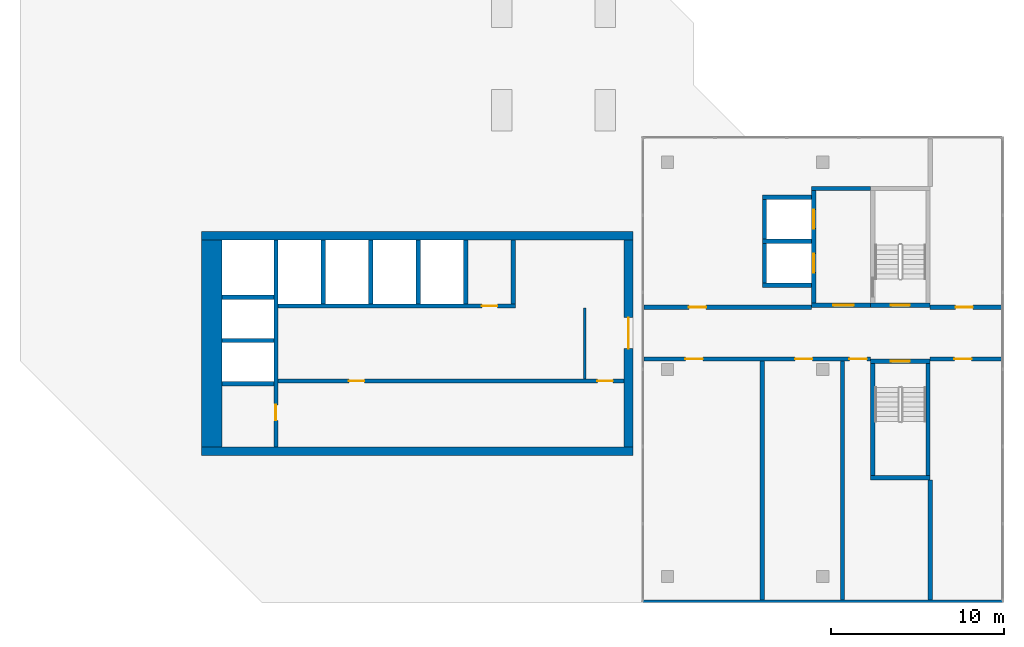
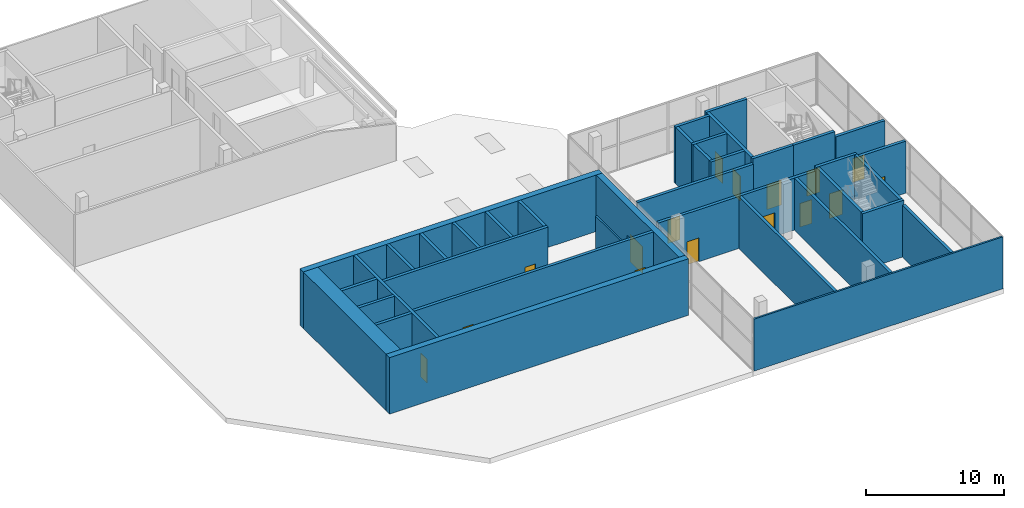
# One storey, part 5 of 8: 37 walls, 16 doors, 16 openings.
"""IFC4 building model written with IfcOpenShell, lengths in metres."""

import ifcopenshell
import ifcopenshell.guid

model = None  # the IFC model being written
_history = None  # IfcOwnerHistory: only IFC2X3 demands one
_inside = {}  # id of a spatial element -> (the spatial element, [elements in it])
_under = {}  # id of a project, library or spatial element -> (it, [spatial elements below it])
_declared = {}  # id of a project -> (the project, [libraries it declares])
_typed = {}  # id of a type object -> (the type object, [elements of that type])
_made_of = {}  # id of a material, layer set ... -> (it, [elements and type objects made of it])


def new_model(schema):
    """Start an empty IFC model of exactly this schema.

    Asked for "IFC4X3", IfcOpenShell would pick the latest addendum, in which some entities
    have other attributes; the version numbers below select the first issue.
    IFC2X3 requires an IfcOwnerHistory on every rooted entity: one is made here for all.
    """
    global model, _history
    if schema == "IFC4X3":
        model = ifcopenshell.file(schema_version=(4, 3, 0, 0))
    else:
        model = ifcopenshell.file(schema=schema)
    _inside.clear()
    _under.clear()
    _declared.clear()
    _typed.clear()
    _made_of.clear()
    _history = None
    if model.schema == "IFC2X3":
        org = make("IfcOrganization", Name="unknown")
        user = make(
            "IfcPersonAndOrganization",
            ThePerson=make("IfcPerson", FamilyName="unknown"),
            TheOrganization=org,
        )
        app = make(
            "IfcApplication",
            ApplicationDeveloper=org,
            Version="unknown",
            ApplicationFullName="unknown",
            ApplicationIdentifier="unknown",
        )
        _history = make(
            "IfcOwnerHistory",
            OwningUser=user,
            OwningApplication=app,
            ChangeAction="ADDED",
            CreationDate=0,
        )
    return model


def make(cls, **values):
    """One entity of the class cls with the attributes given. An attribute that is None is left unset."""
    return model.create_entity(
        cls, **{name: value for name, value in values.items() if value is not None}
    )


def rooted(cls, **values):
    """An entity with a GlobalId (a new one), such as an element, a storey or a relation."""
    return make(cls, GlobalId=ifcopenshell.guid.new(), OwnerHistory=_history, **values)


def si_unit(unit_type, name, prefix=None):
    """IfcSIUnit, for example si_unit("LENGTHUNIT", "METRE", prefix="MILLI")."""
    return make("IfcSIUnit", UnitType=unit_type, Prefix=prefix, Name=name)


def assignment(units):
    """IfcUnitAssignment: the units of a project."""
    return None if units is None else make("IfcUnitAssignment", Units=units)


def point(xyz):
    """IfcCartesianPoint."""
    return None if xyz is None else make("IfcCartesianPoint", Coordinates=xyz)


def direction(xyz):
    """IfcDirection."""
    return None if xyz is None else make("IfcDirection", DirectionRatios=xyz)


def frame(location, z_axis=None, x_axis=None):
    """IfcAxis2Placement3D, a coordinate frame: its origin and axes. An axis left out is left unset."""
    return make(
        "IfcAxis2Placement3D",
        Location=point(location),
        Axis=direction(z_axis),
        RefDirection=direction(x_axis),
    )


def frame_2d(location, x_axis=None):
    """IfcAxis2Placement2D, a coordinate frame in the plane: its origin and x axis."""
    return make(
        "IfcAxis2Placement2D", Location=point(location), RefDirection=direction(x_axis)
    )


def origin():
    """The frame at (0, 0, 0) with its axes left unset."""
    return frame((0.0, 0.0, 0.0))


def place(relative_to, where):
    """IfcLocalPlacement: puts the frame where relative to a parent placement (None: the world)."""
    return make(
        "IfcLocalPlacement", PlacementRelTo=relative_to, RelativePlacement=where
    )


def context(
    kind, dimensions, precision=None, world=None, true_north=None, identifier=None
):
    """IfcGeometricRepresentationContext, for example the 3D "Model" context."""
    return make(
        "IfcGeometricRepresentationContext",
        ContextIdentifier=identifier,
        ContextType=kind,
        CoordinateSpaceDimension=dimensions,
        Precision=precision,
        WorldCoordinateSystem=world,
        TrueNorth=true_north,
    )


def subcontext(parent, identifier, kind, view, scale=None):
    """IfcGeometricRepresentationSubContext, for example "Body" below "Model"."""
    return make(
        "IfcGeometricRepresentationSubContext",
        ContextIdentifier=identifier,
        ContextType=kind,
        ParentContext=parent,
        TargetScale=scale,
        TargetView=view,
    )


def project(units=None, contexts=None):
    """IfcProject with its units and contexts."""
    return rooted(
        "IfcProject",
        Name="project",
        RepresentationContexts=contexts,
        UnitsInContext=assignment(units),
    )


def spatial(cls, under=None, at=None, **own):
    """A site, building, storey or space (cls), placed at a placement, below another one or the project."""
    s = rooted(cls, ObjectPlacement=at, **own)
    if under is not None:
        _under.setdefault(under.id(), (under, []))[1].append(s)
    return s


def profile(cls, at=None, kind="AREA", **sizes):
    """A parametric profile (cls). Its sizes go by their IFC names, for example OverallWidth=200.0."""
    return make(cls, ProfileType=kind, Position=at, **sizes)


def rectangle(**sizes):
    """IfcRectangleProfileDef."""
    return profile("IfcRectangleProfileDef", **sizes)


def extrude(swept, where, along, depth):
    """IfcExtrudedAreaSolid: the profile swept, set in the frame where, extruded along a direction by depth."""
    return make(
        "IfcExtrudedAreaSolid",
        SweptArea=swept,
        Position=where,
        ExtrudedDirection=direction(along),
        Depth=depth,
    )


def shape(context_of_items, identifier, shape_type, items):
    """IfcShapeRepresentation: the items that make up one representation, for example the "Body"."""
    return make(
        "IfcShapeRepresentation",
        ContextOfItems=context_of_items,
        RepresentationIdentifier=identifier,
        RepresentationType=shape_type,
        Items=items,
    )


def material(Name=None, Category=None):
    """IfcMaterial."""
    return make("IfcMaterial", Name=Name, Category=Category)


def layer(
    of_material, thickness, ventilated=None, Name=None, Category=None, Priority=None
):
    """IfcMaterialLayer: one layer of a wall or slab, of a material (None: an air gap)."""
    return make(
        "IfcMaterialLayer",
        Material=of_material,
        LayerThickness=thickness,
        IsVentilated=ventilated,
        Name=Name,
        Category=Category,
        Priority=Priority,
    )


def layer_set(layers, Name=None):
    """IfcMaterialLayerSet."""
    return make("IfcMaterialLayerSet", MaterialLayers=layers, LayerSetName=Name)


def made_of(thing, what):
    """Note that an element or type object is made of a material, layer set ...; save() writes the relation."""
    if what is not None:
        _made_of.setdefault(what.id(), (what, []))[1].append(thing)
    return thing


def type_object(cls, material=None, **own):
    """A type object (cls), such as IfcWallType, which elements share."""
    return made_of(rooted(cls, **own), material)


def element(
    cls,
    number,
    at=None,
    inside=None,
    cuts=None,
    type_object=None,
    material=None,
    context=None,
    identifier="Body",
    shape_type=None,
    held_by="IfcProductDefinitionShape",
    body=None,
    shapes=None,
    **own,
):
    """One element of the class cls, such as IfcWall. Its Tag is "e" and its number.

    at: its placement. inside: the storey or other place that contains it. cuts: it is an
    opening in that element (IfcRelVoidsElement). A single representation is given by context,
    identifier, shape_type and body (its items); several are given by shapes. held_by: the class
    of the entity that holds the representations. save() writes the other relations.
    """
    e = rooted(cls, Tag="e%d" % number, ObjectPlacement=at, **own)
    if body is not None:
        shapes = [shape(context, identifier, shape_type, body)]
    if shapes is not None:
        e.Representation = make(held_by, Representations=shapes)
    if inside is not None:
        _inside.setdefault(inside.id(), (inside, []))[1].append(e)
    if cuts is not None:
        rooted(
            "IfcRelVoidsElement", RelatingBuildingElement=cuts, RelatedOpeningElement=e
        )
    if type_object is not None:
        _typed.setdefault(type_object.id(), (type_object, []))[1].append(e)
    return made_of(e, material)


def fill(opening, filler):
    """IfcRelFillsElement: the door or window that sits in an opening."""
    return rooted(
        "IfcRelFillsElement",
        RelatingOpeningElement=opening,
        RelatedBuildingElement=filler,
    )


def aggregate(whole, parts):
    """IfcRelAggregates: a whole, such as a stair, and the parts it consists of."""
    return rooted("IfcRelAggregates", RelatingObject=whole, RelatedObjects=parts)


def save(model, path):
    """Write the relations noted so far, then the file.

    IfcRelAggregates (storeys below a building ...), IfcRelContainedInSpatialStructure (elements
    in a storey), IfcRelDefinesByType, IfcRelAssociatesMaterial and IfcRelDeclares: one each for
    every whole, place, type object, material and project.
    """
    for whole, parts in _under.values():
        aggregate(whole, parts)
    for where, things in _inside.values():
        rooted(
            "IfcRelContainedInSpatialStructure",
            RelatedElements=things,
            RelatingStructure=where,
        )
    for kind, things in _typed.values():
        rooted("IfcRelDefinesByType", RelatedObjects=things, RelatingType=kind)
    for what, things in _made_of.values():
        rooted("IfcRelAssociatesMaterial", RelatedObjects=things, RelatingMaterial=what)
    for by, libraries in _declared.values():
        rooted("IfcRelDeclares", RelatingContext=by, RelatedDefinitions=libraries)
    model.write(path)


model = new_model("IFC4")

# Units and contexts
model_context = context("Model", 3, precision=1e-05, world=origin(), true_north=direction((0.0, 1.0)))
body_context = subcontext(model_context, "Body", "Model", "MODEL_VIEW")
ifc_project = project(units=[si_unit("LENGTHUNIT", "METRE"), si_unit("AREAUNIT", "SQUARE_METRE"), si_unit("VOLUMEUNIT", "CUBIC_METRE"), si_unit("PLANEANGLEUNIT", "RADIAN"), si_unit("MASSUNIT", "GRAM", prefix="KILO")], contexts=[model_context])

# Site, building, storey
site_placement = place(None, origin())
site = spatial("IfcSite", under=ifc_project, at=site_placement, CompositionType="ELEMENT")
building_placement = place(site_placement, origin())
building = spatial("IfcBuilding", under=site, at=building_placement, Name="Chenar Terraces", CompositionType="ELEMENT")
storey_placement = place(building_placement, frame((0.0, 0.0, 383.89990234375)))
storey = spatial("IfcBuildingStorey", under=building, at=storey_placement, Name="L90", CompositionType="ELEMENT", Elevation=383.89990234375)

# Walls
ifc_material_1 = material(Name="Gypsum board on steel studs", Category="steel")
ifc_layer_1 = layer(ifc_material_1, 0.14990234375)
ifc_layer_set_1 = layer_set([ifc_layer_1], Name="Gypsum board on steel studs")
wall_type_1 = type_object("IfcWallType", Name="Core partition 150 gypsum board", PredefinedType="PARTITIONING", material=ifc_layer_set_1)
wall_1_placement = place(storey_placement, frame((31.22509765625, 11.449951171875, 0.0), z_axis=(0.0, 0.0, 1.0), x_axis=(0.0, 1.0, 0.0)))
element("IfcWall", 1, at=wall_1_placement, inside=storey, type_object=wall_type_1, Name="Core partition CP1 freed bay wall", PredefinedType="PARTITIONING", context=body_context, shape_type="SweptSolid", body=[
    extrude(rectangle(XDim=4.10009765625, YDim=0.14990234375, at=frame_2d((2.050048828125, 0.0))), origin(), (0.0, 0.0, 1.0), 4.60009765625),
])
ifc_material_2 = material(Name="Concrete C40/50", Category="concrete")
ifc_layer_2 = layer(ifc_material_2, 1.199951171875)
ifc_layer_set_2 = layer_set([ifc_layer_2], Name="Concrete C40/50")
wall_type_2 = type_object("IfcWallType", Name="Core wall 1200 Concrete C40/50", PredefinedType="SHEAR", material=ifc_layer_set_2)
wall_2_placement = place(storey_placement, frame((9.60009765625, 7.5, 0.0), z_axis=(0.0, 0.0, 1.0), x_axis=(0.0, 1.0, 0.0)))
element("IfcWall", 2, at=wall_2_placement, inside=storey, type_object=wall_type_2, Name="Core wall W L90", PredefinedType="SHEAR", context=body_context, shape_type="SweptSolid", body=[
    extrude(rectangle(XDim=12.0, YDim=1.199951171875, at=frame_2d((6.0, 0.0))), origin(), (0.0, 0.0, 1.0), 5.0),
])

# Wall, opening, door
ifc_material_3 = material(Name="Concrete C40/50", Category="concrete")
ifc_layer_3 = layer(ifc_material_3, 0.25)
ifc_layer_set_3 = layer_set([ifc_layer_3], Name="Concrete C40/50")
wall_type_3 = type_object("IfcWallType", Name="Core wall 250 Concrete C40/50", PredefinedType="SHEAR", material=ifc_layer_set_3)
wall_3_placement = place(storey_placement, frame((13.324951171875, 7.5, 0.0), z_axis=(0.0, 0.0, 1.0), x_axis=(0.0, 1.0, 0.0)))
wall_3 = element("IfcWall", 3, at=wall_3_placement, inside=storey, type_object=wall_type_3, Name="Core wall WI L90", PredefinedType="SHEAR", context=body_context, shape_type="SweptSolid", body=[
    extrude(rectangle(XDim=12.0, YDim=0.25, at=frame_2d((6.0, 0.0))), origin(), (0.0, 0.0, 1.0), 5.0),
])
opening_1_placement = place(wall_3_placement, frame((1.550048828125, 0.0, 0.0)))
opening_1 = element("IfcOpeningElement", 4, at=opening_1_placement, cuts=wall_3, Name="Opening DL90-C2", PredefinedType="OPENING", context=body_context, shape_type="SweptSolid", body=[
    extrude(rectangle(XDim=0.89990234375, YDim=2.10009765625, at=frame_2d((0.449951171875, 1.050048828125))), frame((0.0, 0.135009765625, 0.0), z_axis=(0.0, -1.0, 0.0), x_axis=(1.0, 0.0, 0.0)), (0.0, 0.0, 1.0), 0.27001953125),
])
ifc_material_4 = material(Name="Steel-framed fire-resisting door leaf", Category="steel")
door_type_1 = type_object("IfcDoorType", Name="Riser fire door FD60 900 x 2100", OperationType="SINGLE_SWING_LEFT", PredefinedType="DOOR", material=ifc_material_4)
door_1_placement = place(opening_1_placement, origin())
door_1 = element("IfcDoor", 5, at=door_1_placement, inside=storey, type_object=door_type_1, Name="Core room door DL90-C2", OperationType="SINGLE_SWING_RIGHT", OverallHeight=2.10009765625, OverallWidth=0.89990234375, PredefinedType="DOOR", context=body_context, shape_type="SweptSolid", body=[
    extrude(rectangle(XDim=0.89990234375, YDim=2.10009765625, at=frame_2d((0.449951171875, 1.050048828125))), frame((0.0, 0.02490234375, 0.0), z_axis=(0.0, -1.0, 0.0), x_axis=(1.0, 0.0, 0.0)), (0.0, 0.0, 1.0), 0.050048828125),
])
fill(opening_1, door_1)

# Wall, openings, doors
wall_4_placement = place(storey_placement, frame((13.449951171875, 11.324951171875, 0.0), z_axis=(0.0, 0.0, 1.0), x_axis=(1.0, 0.0, 0.0)))
wall_4 = element("IfcWall", 6, at=wall_4_placement, inside=storey, type_object=wall_type_3, Name="Core wall SF L90", PredefinedType="SHEAR", context=body_context, shape_type="SweptSolid", body=[
    extrude(rectangle(XDim=20.050048828125, YDim=0.25, at=frame_2d((10.02490234375, 0.0))), origin(), (0.0, 0.0, 1.0), 5.0),
])
opening_2_placement = place(wall_4_placement, frame((4.10009765625, 0.0, 0.0)))
opening_2 = element("IfcOpeningElement", 7, at=opening_2_placement, cuts=wall_4, Name="Opening DL90-C9", PredefinedType="OPENING", context=body_context, shape_type="SweptSolid", body=[
    extrude(rectangle(XDim=0.89990234375, YDim=2.10009765625, at=frame_2d((0.449951171875, 1.050048828125))), frame((0.0, 0.135009765625, 0.0), z_axis=(0.0, -1.0, 0.0), x_axis=(1.0, 0.0, 0.0)), (0.0, 0.0, 1.0), 0.27001953125),
])
opening_3_placement = place(wall_4_placement, frame((18.5, 0.0, 0.0)))
opening_3 = element("IfcOpeningElement", 8, at=opening_3_placement, cuts=wall_4, Name="Opening DL90-C10", PredefinedType="OPENING", context=body_context, shape_type="SweptSolid", body=[
    extrude(rectangle(XDim=0.89990234375, YDim=2.10009765625, at=frame_2d((0.449951171875, 1.050048828125))), frame((0.0, 0.135009765625, 0.0), z_axis=(0.0, -1.0, 0.0), x_axis=(1.0, 0.0, 0.0)), (0.0, 0.0, 1.0), 0.27001953125),
])
door_2_placement = place(opening_2_placement, origin())
door_2 = element("IfcDoor", 9, at=door_2_placement, inside=storey, type_object=door_type_1, Name="Core room door DL90-C9", OperationType="SINGLE_SWING_LEFT", OverallHeight=2.10009765625, OverallWidth=0.89990234375, PredefinedType="DOOR", context=body_context, shape_type="SweptSolid", body=[
    extrude(rectangle(XDim=0.89990234375, YDim=2.10009765625, at=frame_2d((0.449951171875, 1.050048828125))), frame((0.0, 0.02490234375, 0.0), z_axis=(0.0, -1.0, 0.0), x_axis=(1.0, 0.0, 0.0)), (0.0, 0.0, 1.0), 0.050048828125),
])
fill(opening_2, door_2)
door_3_placement = place(opening_3_placement, origin())
door_3 = element("IfcDoor", 10, at=door_3_placement, inside=storey, type_object=door_type_1, Name="Core room door DL90-C10", OperationType="SINGLE_SWING_LEFT", OverallHeight=2.10009765625, OverallWidth=0.89990234375, PredefinedType="DOOR", context=body_context, shape_type="SweptSolid", body=[
    extrude(rectangle(XDim=0.89990234375, YDim=2.10009765625, at=frame_2d((0.449951171875, 1.050048828125))), frame((0.0, 0.02490234375, 0.0), z_axis=(0.0, -1.0, 0.0), x_axis=(1.0, 0.0, 0.0)), (0.0, 0.0, 1.0), 0.050048828125),
])
fill(opening_3, door_3)

# Wall, opening, door
wall_5_placement = place(storey_placement, frame((13.449951171875, 15.675048828125, 0.0), z_axis=(0.0, 0.0, 1.0), x_axis=(1.0, 0.0, 0.0)))
wall_5 = element("IfcWall", 11, at=wall_5_placement, inside=storey, type_object=wall_type_3, Name="Core wall NF L90", PredefinedType="SHEAR", context=body_context, shape_type="SweptSolid", body=[
    extrude(rectangle(XDim=13.75, YDim=0.25, at=frame_2d((6.875, 0.0))), origin(), (0.0, 0.0, 1.0), 5.0),
])
opening_4_placement = place(wall_5_placement, frame((11.800048828125, 0.0, 0.0)))
opening_4 = element("IfcOpeningElement", 12, at=opening_4_placement, cuts=wall_5, Name="Opening DL90-C11", PredefinedType="OPENING", context=body_context, shape_type="SweptSolid", body=[
    extrude(rectangle(XDim=0.89990234375, YDim=2.10009765625, at=frame_2d((0.449951171875, 1.050048828125))), frame((0.0, 0.135009765625, 0.0), z_axis=(0.0, -1.0, 0.0), x_axis=(1.0, 0.0, 0.0)), (0.0, 0.0, 1.0), 0.27001953125),
])
door_4_placement = place(opening_4_placement, origin())
door_4 = element("IfcDoor", 13, at=door_4_placement, inside=storey, type_object=door_type_1, Name="Core room door DL90-C11", OperationType="SINGLE_SWING_RIGHT", OverallHeight=2.10009765625, OverallWidth=0.89990234375, PredefinedType="DOOR", context=body_context, shape_type="SweptSolid", body=[
    extrude(rectangle(XDim=0.89990234375, YDim=2.10009765625, at=frame_2d((0.449951171875, 1.050048828125))), frame((0.0, 0.02490234375, 0.0), z_axis=(0.0, -1.0, 0.0), x_axis=(1.0, 0.0, 0.0)), (0.0, 0.0, 1.0), 0.050048828125),
])
fill(opening_4, door_4)

# Walls
for number, where, z_axis, x_axis, name in (
    (14, (10.199951171875, 11.175048828125, 0.0), (0.0, 0.0, 1.0), (1.0, 0.0, 0.0), "Core wall HW0 L90"),
    (15, (10.199951171875, 13.675048828125, 0.0), (0.0, 0.0, 1.0), (1.0, 0.0, 0.0), "Core wall HW1 L90"),
    (16, (10.199951171875, 16.175048828125, 0.0), (0.0, 0.0, 1.0), (1.0, 0.0, 0.0), "Core wall HW2 L90"),
):
    element("IfcWall", number, at=place(storey_placement, frame(where, z_axis=z_axis, x_axis=x_axis)), inside=storey, type_object=wall_type_3, Name=name, PredefinedType="SHEAR", context=body_context, shape_type="SweptSolid", body=[
        extrude(rectangle(XDim=3.0, YDim=0.25, at=frame_2d((1.5, 0.0))), origin(), (0.0, 0.0, 1.0), 5.0),
    ])
for number, where, z_axis, x_axis, name in (
    (17, (16.074951171875, 15.800048828125, 0.0), (0.0, 0.0, 1.0), (0.0, 1.0, 0.0), "Core wall NS0 L90"),
    (18, (18.824951171875, 15.800048828125, 0.0), (0.0, 0.0, 1.0), (0.0, 1.0, 0.0), "Core wall NS1 L90"),
    (19, (21.574951171875, 15.800048828125, 0.0), (0.0, 0.0, 1.0), (0.0, 1.0, 0.0), "Core wall NS2 L90"),
    (20, (24.324951171875, 15.800048828125, 0.0), (0.0, 0.0, 1.0), (0.0, 1.0, 0.0), "Core wall NS3 L90"),
    (21, (27.074951171875, 15.800048828125, 0.0), (0.0, 0.0, 1.0), (0.0, 1.0, 0.0), "Core wall NE L90"),
):
    element("IfcWall", number, at=place(storey_placement, frame(where, z_axis=z_axis, x_axis=x_axis)), inside=storey, type_object=wall_type_3, Name=name, PredefinedType="SHEAR", context=body_context, shape_type="SweptSolid", body=[
        extrude(rectangle(XDim=3.699951171875, YDim=0.25, at=frame_2d((1.85009765625, 0.0))), origin(), (0.0, 0.0, 1.0), 5.0),
    ])

# Wall, opening, door
wall_6_placement = place(storey_placement, frame((47.77490234375, 15.72509765625, 0.0), z_axis=(0.0, 0.0, 1.0), x_axis=(1.0, 0.0, 0.0)))
wall_6 = element("IfcWall", 22, at=wall_6_placement, inside=storey, type_object=wall_type_3, Name="Core wall ST3_S L90", PredefinedType="SHEAR", context=body_context, shape_type="SweptSolid", body=[
    extrude(rectangle(XDim=3.4501953125, YDim=0.25, at=frame_2d((1.72509765625, 0.0))), origin(), (0.0, 0.0, 1.0), 5.0),
])
opening_5_placement = place(wall_6_placement, frame((1.175048828125, 0.0, 0.0)))
opening_5 = element("IfcOpeningElement", 23, at=opening_5_placement, cuts=wall_6, Name="Opening DL90-C3", PredefinedType="OPENING", context=body_context, shape_type="SweptSolid", body=[
    extrude(rectangle(XDim=1.10009765625, YDim=2.199951171875, at=frame_2d((0.550048828125, 1.10009765625))), frame((0.0, 0.135009765625, 0.0), z_axis=(0.0, -1.0, 0.0), x_axis=(1.0, 0.0, 0.0)), (0.0, 0.0, 1.0), 0.27001953125),
])
ifc_material_5 = material(Name="Steel-framed fire-resisting door leaf", Category="steel")
door_type_2 = type_object("IfcDoorType", Name="Stair fire door FD60 1100 x 2200", OperationType="SINGLE_SWING_LEFT", PredefinedType="DOOR", material=ifc_material_5)
door_5_placement = place(opening_5_placement, origin())
door_5 = element("IfcDoor", 24, at=door_5_placement, inside=storey, type_object=door_type_2, Name="Stair door DL90-C3", OperationType="SINGLE_SWING_RIGHT", OverallHeight=2.199951171875, OverallWidth=1.10009765625, PredefinedType="DOOR", context=body_context, shape_type="SweptSolid", body=[
    extrude(rectangle(XDim=1.10009765625, YDim=2.199951171875, at=frame_2d((0.550048828125, 1.10009765625))), frame((0.0, 0.02490234375, 0.0), z_axis=(0.0, -1.0, 0.0), x_axis=(1.0, 0.0, 0.0)), (0.0, 0.0, 1.0), 0.050048828125),
])
fill(opening_5, door_5)

# Wall
wall_7_placement = place(storey_placement, frame((47.77490234375, 5.72509765625, 0.0), z_axis=(0.0, 0.0, 1.0), x_axis=(1.0, 0.0, 0.0)))
element("IfcWall", 25, at=wall_7_placement, inside=storey, type_object=wall_type_3, Name="Core wall ST5_S L90", PredefinedType="SHEAR", context=body_context, shape_type="SweptSolid", body=[
    extrude(rectangle(XDim=3.4501953125, YDim=0.25, at=frame_2d((1.72509765625, 0.0))), origin(), (0.0, 0.0, 1.0), 5.0),
])

# Wall, opening, door
wall_8_placement = place(storey_placement, frame((47.77490234375, 12.47509765625, 0.0), z_axis=(0.0, 0.0, 1.0), x_axis=(1.0, 0.0, 0.0)))
wall_8 = element("IfcWall", 26, at=wall_8_placement, inside=storey, type_object=wall_type_3, Name="Core wall ST5_N L90", PredefinedType="SHEAR", context=body_context, shape_type="SweptSolid", body=[
    extrude(rectangle(XDim=3.4501953125, YDim=0.25, at=frame_2d((1.72509765625, 0.0))), origin(), (0.0, 0.0, 1.0), 5.0),
])
opening_6_placement = place(wall_8_placement, frame((1.175048828125, 0.0, 0.0)))
opening_6 = element("IfcOpeningElement", 27, at=opening_6_placement, cuts=wall_8, Name="Opening DL90-C5", PredefinedType="OPENING", context=body_context, shape_type="SweptSolid", body=[
    extrude(rectangle(XDim=1.10009765625, YDim=2.199951171875, at=frame_2d((0.550048828125, 1.10009765625))), frame((0.0, 0.135009765625, 0.0), z_axis=(0.0, -1.0, 0.0), x_axis=(1.0, 0.0, 0.0)), (0.0, 0.0, 1.0), 0.27001953125),
])
door_6_placement = place(opening_6_placement, frame((1.10009765625, 0.0, 0.0), z_axis=(0.0, 0.0, 1.0), x_axis=(-1.0, 0.0, 0.0)))
door_6 = element("IfcDoor", 28, at=door_6_placement, inside=storey, type_object=door_type_2, Name="Stair door DL90-C5", OperationType="SINGLE_SWING_LEFT", OverallHeight=2.199951171875, OverallWidth=1.10009765625, PredefinedType="DOOR", context=body_context, shape_type="SweptSolid", body=[
    extrude(rectangle(XDim=1.10009765625, YDim=2.199951171875, at=frame_2d((0.550048828125, 1.10009765625))), frame((0.0, 0.02490234375, 0.0), z_axis=(0.0, -1.0, 0.0), x_axis=(1.0, 0.0, 0.0)), (0.0, 0.0, 1.0), 0.050048828125),
])
fill(opening_6, door_6)

# Walls
for number, where, z_axis, x_axis, name in (
    (29, (47.89990234375, 5.85009765625, 0.0), (0.0, 0.0, 1.0), (0.0, 1.0, 0.0), "Core wall ST5_W L90"),
    (30, (51.10009765625, 5.85009765625, 0.0), (0.0, 0.0, 1.0), (0.0, 1.0, 0.0), "Core wall ST5_E L90"),
):
    element("IfcWall", number, at=place(storey_placement, frame(where, z_axis=z_axis, x_axis=x_axis)), inside=storey, type_object=wall_type_3, Name=name, PredefinedType="SHEAR", context=body_context, shape_type="SweptSolid", body=[
        extrude(rectangle(XDim=6.5, YDim=0.25, at=frame_2d((3.25, 0.0))), origin(), (0.0, 0.0, 1.0), 5.0),
    ])

# Wall, opening, door
wall_9_placement = place(storey_placement, frame((44.35009765625, 15.72509765625, 0.0), z_axis=(0.0, 0.0, 1.0), x_axis=(1.0, 0.0, 0.0)))
wall_9 = element("IfcWall", 31, at=wall_9_placement, inside=storey, type_object=wall_type_3, Name="Core wall F3_LS L90", PredefinedType="SHEAR", context=body_context, shape_type="SweptSolid", body=[
    extrude(rectangle(XDim=3.4248046875, YDim=0.25, at=frame_2d((1.71240234375, 0.0))), origin(), (0.0, 0.0, 1.0), 5.0),
])
opening_7_placement = place(wall_9_placement, frame((1.25, 0.0, 0.0)))
opening_7 = element("IfcOpeningElement", 32, at=opening_7_placement, cuts=wall_9, Name="Opening DL90-C7", PredefinedType="OPENING", context=body_context, shape_type="SweptSolid", body=[
    extrude(rectangle(XDim=1.199951171875, YDim=2.199951171875, at=frame_2d((0.60009765625, 1.10009765625))), frame((0.0, 0.135009765625, 0.0), z_axis=(0.0, -1.0, 0.0), x_axis=(1.0, 0.0, 0.0)), (0.0, 0.0, 1.0), 0.27001953125),
])
ifc_material_6 = material(Name="Steel-framed fire-resisting door leaf", Category="steel")
door_type_3 = type_object("IfcDoorType", Name="Lobby fire door FD60 1200 x 2200", OperationType="SINGLE_SWING_LEFT", PredefinedType="DOOR", material=ifc_material_6)
door_7_placement = place(opening_7_placement, origin())
door_7 = element("IfcDoor", 33, at=door_7_placement, inside=storey, type_object=door_type_3, Name="Core door DL90-C7", OperationType="SINGLE_SWING_RIGHT", OverallHeight=2.199951171875, OverallWidth=1.199951171875, PredefinedType="DOOR", context=body_context, shape_type="SweptSolid", body=[
    extrude(rectangle(XDim=1.199951171875, YDim=2.199951171875, at=frame_2d((0.60009765625, 1.10009765625))), frame((0.0, 0.02490234375, 0.0), z_axis=(0.0, -1.0, 0.0), x_axis=(1.0, 0.0, 0.0)), (0.0, 0.0, 1.0), 0.050048828125),
])
fill(opening_7, door_7)

# Wall
wall_10_placement = place(storey_placement, frame((44.35009765625, 22.47509765625, 0.0), z_axis=(0.0, 0.0, 1.0), x_axis=(1.0, 0.0, 0.0)))
element("IfcWall", 34, at=wall_10_placement, inside=storey, type_object=wall_type_3, Name="Core wall F3_LN L90", PredefinedType="SHEAR", context=body_context, shape_type="SweptSolid", body=[
    extrude(rectangle(XDim=3.4248046875, YDim=0.25, at=frame_2d((1.71240234375, 0.0))), origin(), (0.0, 0.0, 1.0), 5.0),
])

# Wall, openings, doors
wall_11_placement = place(storey_placement, frame((44.47509765625, 15.85009765625, 0.0), z_axis=(0.0, 0.0, 1.0), x_axis=(0.0, 1.0, 0.0)))
wall_11 = element("IfcWall", 35, at=wall_11_placement, inside=storey, type_object=wall_type_3, Name="Core wall F3_LW L90", PredefinedType="SHEAR", context=body_context, shape_type="SweptSolid", body=[
    extrude(rectangle(XDim=6.5, YDim=0.25, at=frame_2d((3.25, 0.0))), origin(), (0.0, 0.0, 1.0), 5.0),
])
opening_8_placement = place(wall_11_placement, frame((1.75, 0.0, 0.0)))
opening_8 = element("IfcOpeningElement", 36, at=opening_8_placement, cuts=wall_11, Name="Opening DL90-LD1", PredefinedType="OPENING", context=body_context, shape_type="SweptSolid", body=[
    extrude(rectangle(XDim=1.10009765625, YDim=2.199951171875, at=frame_2d((0.550048828125, 1.10009765625))), frame((0.0, 0.135009765625, 0.0), z_axis=(0.0, -1.0, 0.0), x_axis=(1.0, 0.0, 0.0)), (0.0, 0.0, 1.0), 0.27001953125),
])
opening_9_placement = place(wall_11_placement, frame((4.300048828125, 0.0, 0.0)))
opening_9 = element("IfcOpeningElement", 37, at=opening_9_placement, cuts=wall_11, Name="Opening DL90-LD2", PredefinedType="OPENING", context=body_context, shape_type="SweptSolid", body=[
    extrude(rectangle(XDim=1.10009765625, YDim=2.199951171875, at=frame_2d((0.550048828125, 1.10009765625))), frame((0.0, 0.135009765625, 0.0), z_axis=(0.0, -1.0, 0.0), x_axis=(1.0, 0.0, 0.0)), (0.0, 0.0, 1.0), 0.27001953125),
])
ifc_material_7 = material(Name="Stainless steel", Category="steel")
door_type_4 = type_object("IfcDoorType", Name="Lift landing door 1100 x 2200 sliding", OperationType="DOUBLE_DOOR_SLIDING", PredefinedType="DOOR", material=ifc_material_7)
door_8_placement = place(opening_8_placement, origin())
door_8 = element("IfcDoor", 38, at=door_8_placement, inside=storey, type_object=door_type_4, Name="Landing door F3", OperationType="DOUBLE_DOOR_SLIDING", OverallHeight=2.199951171875, OverallWidth=1.10009765625, PredefinedType="DOOR", context=body_context, shape_type="SweptSolid", body=[
    extrude(rectangle(XDim=1.10009765625, YDim=2.199951171875, at=frame_2d((0.550048828125, 1.10009765625))), frame((0.0, 0.02490234375, 0.0), z_axis=(0.0, -1.0, 0.0), x_axis=(1.0, 0.0, 0.0)), (0.0, 0.0, 1.0), 0.050048828125),
])
fill(opening_8, door_8)
door_9_placement = place(opening_9_placement, origin())
door_9 = element("IfcDoor", 39, at=door_9_placement, inside=storey, type_object=door_type_4, Name="Landing door F4", OperationType="DOUBLE_DOOR_SLIDING", OverallHeight=2.199951171875, OverallWidth=1.10009765625, PredefinedType="DOOR", context=body_context, shape_type="SweptSolid", body=[
    extrude(rectangle(XDim=1.10009765625, YDim=2.199951171875, at=frame_2d((0.550048828125, 1.10009765625))), frame((0.0, 0.02490234375, 0.0), z_axis=(0.0, -1.0, 0.0), x_axis=(1.0, 0.0, 0.0)), (0.0, 0.0, 1.0), 0.050048828125),
])
fill(opening_9, door_9)

# Walls
for number, where, z_axis, x_axis, name in (
    (40, (41.5, 16.875, 0.0), (0.0, 0.0, 1.0), (1.0, 0.0, 0.0), "Core wall F3_SS L90"),
    (41, (41.5, 19.425048828125, 0.0), (0.0, 0.0, 1.0), (1.0, 0.0, 0.0), "Core wall F3_SM L90"),
    (42, (41.5, 21.97509765625, 0.0), (0.0, 0.0, 1.0), (1.0, 0.0, 0.0), "Core wall F4_SN L90"),
):
    element("IfcWall", number, at=place(storey_placement, frame(where, z_axis=z_axis, x_axis=x_axis)), inside=storey, type_object=wall_type_3, Name=name, PredefinedType="SHEAR", context=body_context, shape_type="SweptSolid", body=[
        extrude(rectangle(XDim=2.85009765625, YDim=0.25, at=frame_2d((1.425048828125, 0.0))), origin(), (0.0, 0.0, 1.0), 5.0),
    ])
for number, where, z_axis, x_axis, name in (
    (43, (41.625, 17.0, 0.0), (0.0, 0.0, 1.0), (0.0, 1.0, 0.0), "Core wall F3_SW L90"),
    (44, (41.625, 19.550048828125, 0.0), (0.0, 0.0, 1.0), (0.0, 1.0, 0.0), "Core wall F4_SW L90"),
):
    element("IfcWall", number, at=place(storey_placement, frame(where, z_axis=z_axis, x_axis=x_axis)), inside=storey, type_object=wall_type_3, Name=name, PredefinedType="SHEAR", context=body_context, shape_type="SweptSolid", body=[
        extrude(rectangle(XDim=2.300048828125, YDim=0.25, at=frame_2d((1.14990234375, 0.0))), origin(), (0.0, 0.0, 1.0), 5.0),
    ])
ifc_material_8 = material(Name="Concrete C40/50", Category="concrete")
ifc_layer_4 = layer(ifc_material_8, 0.5)
ifc_layer_set_4 = layer_set([ifc_layer_4], Name="Concrete C40/50")
wall_type_4 = type_object("IfcWallType", Name="Core wall 500 Concrete C40/50", PredefinedType="SHEAR", material=ifc_layer_set_4)
for number, where, z_axis, x_axis, name in (
    (45, (9.0, 7.25, 0.0), (0.0, 0.0, 1.0), (1.0, 0.0, 0.0), "Core wall S L90"),
    (46, (9.0, 19.75, 0.0), (0.0, 0.0, 1.0), (1.0, 0.0, 0.0), "Core wall N L90"),
):
    element("IfcWall", number, at=place(storey_placement, frame(where, z_axis=z_axis, x_axis=x_axis)), inside=storey, type_object=wall_type_4, Name=name, PredefinedType="SHEAR", context=body_context, shape_type="SweptSolid", body=[
        extrude(rectangle(XDim=25.0, YDim=0.5, at=frame_2d((12.5, 0.0))), origin(), (0.0, 0.0, 1.0), 5.0),
    ])

# Wall, opening, door
wall_12_placement = place(storey_placement, frame((33.75, 7.5, 0.0), z_axis=(0.0, 0.0, 1.0), x_axis=(0.0, 1.0, 0.0)))
wall_12 = element("IfcWall", 47, at=wall_12_placement, inside=storey, type_object=wall_type_4, Name="Core wall E L90", PredefinedType="SHEAR", context=body_context, shape_type="SweptSolid", body=[
    extrude(rectangle(XDim=12.0, YDim=0.5, at=frame_2d((6.0, 0.0))), origin(), (0.0, 0.0, 1.0), 5.0),
])
opening_10_placement = place(wall_12_placement, frame((5.699951171875, 0.0, 0.0)))
opening_10 = element("IfcOpeningElement", 48, at=opening_10_placement, cuts=wall_12, Name="Opening DL90-C1", PredefinedType="OPENING", context=body_context, shape_type="SweptSolid", body=[
    extrude(rectangle(XDim=1.800048828125, YDim=2.39990234375, at=frame_2d((0.89990234375, 1.199951171875))), frame((0.0, 0.260009765625, 0.0), z_axis=(0.0, -1.0, 0.0), x_axis=(1.0, 0.0, 0.0)), (0.0, 0.0, 1.0), 0.52001953125),
])
ifc_material_9 = material(Name="Steel-framed fire-resisting door leaf", Category="steel")
door_type_5 = type_object("IfcDoorType", Name="Core entrance double fire door FD60 1800 x 2400", OperationType="DOUBLE_DOOR_SINGLE_SWING", PredefinedType="DOOR", material=ifc_material_9)
door_10_placement = place(opening_10_placement, frame((1.800048828125, 0.0, 0.0), z_axis=(0.0, 0.0, 1.0), x_axis=(-1.0, 0.0, 0.0)))
door_10 = element("IfcDoor", 49, at=door_10_placement, inside=storey, type_object=door_type_5, Name="Core door DL90-C1", OperationType="DOUBLE_DOOR_SINGLE_SWING", OverallHeight=2.39990234375, OverallWidth=1.800048828125, PredefinedType="DOOR", context=body_context, shape_type="SweptSolid", body=[
    extrude(rectangle(XDim=1.800048828125, YDim=2.39990234375, at=frame_2d((0.89990234375, 1.199951171875))), frame((0.0, 0.02490234375, 0.0), z_axis=(0.0, -1.0, 0.0), x_axis=(1.0, 0.0, 0.0)), (0.0, 0.0, 1.0), 0.050048828125),
])
fill(opening_10, door_10)

# Wall
ifc_material_10 = material(Name="Terracotta cladding on insulated backing", Category="masonry")
ifc_layer_5 = layer(ifc_material_10, 0.14990234375)
ifc_layer_set_5 = layer_set([ifc_layer_5], Name="Terracotta cladding on insulated backing")
wall_type_5 = type_object("IfcWallType", Name="Crown terracotta wall 150", PredefinedType="SOLIDWALL", material=ifc_layer_set_5)
wall_13_placement = place(storey_placement, frame((34.60009765625, -1.425048828125, 0.0), z_axis=(0.0, 0.0, 1.0), x_axis=(1.0, 0.0, 0.0)))
element("IfcWall", 50, at=wall_13_placement, inside=storey, type_object=wall_type_5, Name="Crown terracotta wall", PredefinedType="SOLIDWALL", context=body_context, shape_type="SweptSolid", body=[
    extrude(rectangle(XDim=20.7998046875, YDim=0.14990234375, at=frame_2d((10.39990234375, 0.0))), origin(), (0.0, 0.0, 1.0), 4.60009765625),
])

# Wall, openings, doors
ifc_material_11 = material(Name="Fire-board and steel stud wall with mineral wool", Category="steel")
ifc_layer_6 = layer(ifc_material_11, 0.25)
ifc_layer_set_6 = layer_set([ifc_layer_6], Name="Fire-board and steel stud wall with mineral wool")
wall_type_6 = type_object("IfcWallType", Name="Plant room wall 250", PredefinedType="PARTITIONING", material=ifc_layer_set_6)
wall_14_placement = place(storey_placement, frame((34.64990234375, 12.60009765625, 0.0), z_axis=(0.0, 0.0, 1.0), x_axis=(1.0, 0.0, 0.0)))
wall_14 = element("IfcWall", 51, at=wall_14_placement, inside=storey, type_object=wall_type_6, Name="Partition L90-013", PredefinedType="PARTITIONING", context=body_context, shape_type="SweptSolid", body=[
    extrude(rectangle(XDim=13.125, YDim=0.25, at=frame_2d((6.5625, 0.0))), origin(), (0.0, 0.0, 1.0), 4.60009765625),
])
opening_11_placement = place(wall_14_placement, frame((2.39990234375, 0.0, 0.0)))
opening_11 = element("IfcOpeningElement", 52, at=opening_11_placement, cuts=wall_14, Name="Opening DL90-3", PredefinedType="OPENING", context=body_context, shape_type="SweptSolid", body=[
    extrude(rectangle(XDim=1.0, YDim=2.10009765625, at=frame_2d((0.5, 1.050048828125))), frame((0.0, 0.135009765625, 0.0), z_axis=(0.0, -1.0, 0.0), x_axis=(1.0, 0.0, 0.0)), (0.0, 0.0, 1.0), 0.27001953125),
])
opening_12_placement = place(wall_14_placement, frame((8.75, 0.0, 0.0)))
opening_12 = element("IfcOpeningElement", 53, at=opening_12_placement, cuts=wall_14, Name="Opening DL90-4", PredefinedType="OPENING", context=body_context, shape_type="SweptSolid", body=[
    extrude(rectangle(XDim=1.0, YDim=2.10009765625, at=frame_2d((0.5, 1.050048828125))), frame((0.0, 0.135009765625, 0.0), z_axis=(0.0, -1.0, 0.0), x_axis=(1.0, 0.0, 0.0)), (0.0, 0.0, 1.0), 0.27001953125),
])
opening_13_placement = place(wall_14_placement, frame((11.89990234375, 0.0, 0.0)))
opening_13 = element("IfcOpeningElement", 54, at=opening_13_placement, cuts=wall_14, Name="Opening DL90-5", PredefinedType="OPENING", context=body_context, shape_type="SweptSolid", body=[
    extrude(rectangle(XDim=1.0, YDim=2.10009765625, at=frame_2d((0.5, 1.050048828125))), frame((0.0, 0.135009765625, 0.0), z_axis=(0.0, -1.0, 0.0), x_axis=(1.0, 0.0, 0.0)), (0.0, 0.0, 1.0), 0.27001953125),
])
ifc_material_12 = material(Name="Steel-framed fire-resisting door leaf", Category="steel")
door_type_6 = type_object("IfcDoorType", Name="Fire door FD120 1000 x 2100", OperationType="SINGLE_SWING_LEFT", PredefinedType="DOOR", material=ifc_material_12)
door_11_placement = place(opening_11_placement, frame((1.0, 0.0, 0.0), z_axis=(0.0, 0.0, 1.0), x_axis=(-1.0, 0.0, 0.0)))
door_11 = element("IfcDoor", 55, at=door_11_placement, inside=storey, type_object=door_type_6, Name="Door DL90-3", OperationType="SINGLE_SWING_LEFT", OverallHeight=2.10009765625, OverallWidth=1.0, PredefinedType="DOOR", context=body_context, shape_type="SweptSolid", body=[
    extrude(rectangle(XDim=1.0, YDim=2.10009765625, at=frame_2d((0.5, 1.050048828125))), frame((0.0, 0.02490234375, 0.0), z_axis=(0.0, -1.0, 0.0), x_axis=(1.0, 0.0, 0.0)), (0.0, 0.0, 1.0), 0.050048828125),
])
fill(opening_11, door_11)
door_12_placement = place(opening_12_placement, frame((1.0, 0.0, 0.0), z_axis=(0.0, 0.0, 1.0), x_axis=(-1.0, 0.0, 0.0)))
door_12 = element("IfcDoor", 56, at=door_12_placement, inside=storey, type_object=door_type_6, Name="Door DL90-4", OperationType="SINGLE_SWING_LEFT", OverallHeight=2.10009765625, OverallWidth=1.0, PredefinedType="DOOR", context=body_context, shape_type="SweptSolid", body=[
    extrude(rectangle(XDim=1.0, YDim=2.10009765625, at=frame_2d((0.5, 1.050048828125))), frame((0.0, 0.02490234375, 0.0), z_axis=(0.0, -1.0, 0.0), x_axis=(1.0, 0.0, 0.0)), (0.0, 0.0, 1.0), 0.050048828125),
])
fill(opening_12, door_12)
door_13_placement = place(opening_13_placement, frame((1.0, 0.0, 0.0), z_axis=(0.0, 0.0, 1.0), x_axis=(-1.0, 0.0, 0.0)))
door_13 = element("IfcDoor", 57, at=door_13_placement, inside=storey, type_object=door_type_6, Name="Door DL90-5", OperationType="SINGLE_SWING_RIGHT", OverallHeight=2.10009765625, OverallWidth=1.0, PredefinedType="DOOR", context=body_context, shape_type="SweptSolid", body=[
    extrude(rectangle(XDim=1.0, YDim=2.10009765625, at=frame_2d((0.5, 1.050048828125))), frame((0.0, 0.02490234375, 0.0), z_axis=(0.0, -1.0, 0.0), x_axis=(1.0, 0.0, 0.0)), (0.0, 0.0, 1.0), 0.050048828125),
])
fill(opening_13, door_13)

# Wall, opening, door
wall_15_placement = place(storey_placement, frame((34.64990234375, 15.60009765625, 0.0), z_axis=(0.0, 0.0, 1.0), x_axis=(1.0, 0.0, 0.0)))
wall_15 = element("IfcWall", 58, at=wall_15_placement, inside=storey, type_object=wall_type_6, Name="Partition L90-014", PredefinedType="PARTITIONING", context=body_context, shape_type="SweptSolid", body=[
    extrude(rectangle(XDim=9.7001953125, YDim=0.25, at=frame_2d((4.85009765625, 0.0))), origin(), (0.0, 0.0, 1.0), 4.60009765625),
])
opening_14_placement = place(wall_15_placement, frame((2.60009765625, 0.0, 0.0)))
opening_14 = element("IfcOpeningElement", 59, at=opening_14_placement, cuts=wall_15, Name="Opening DL90-1", PredefinedType="OPENING", context=body_context, shape_type="SweptSolid", body=[
    extrude(rectangle(XDim=1.0, YDim=2.10009765625, at=frame_2d((0.5, 1.050048828125))), frame((0.0, 0.135009765625, 0.0), z_axis=(0.0, -1.0, 0.0), x_axis=(1.0, 0.0, 0.0)), (0.0, 0.0, 1.0), 0.27001953125),
])
door_14_placement = place(opening_14_placement, origin())
door_14 = element("IfcDoor", 60, at=door_14_placement, inside=storey, type_object=door_type_6, Name="Door DL90-1", OperationType="SINGLE_SWING_RIGHT", OverallHeight=2.10009765625, OverallWidth=1.0, PredefinedType="DOOR", context=body_context, shape_type="SweptSolid", body=[
    extrude(rectangle(XDim=1.0, YDim=2.10009765625, at=frame_2d((0.5, 1.050048828125))), frame((0.0, 0.02490234375, 0.0), z_axis=(0.0, -1.0, 0.0), x_axis=(1.0, 0.0, 0.0)), (0.0, 0.0, 1.0), 0.050048828125),
])
fill(opening_14, door_14)

# Walls
for number, where, z_axis, x_axis, name in (
    (61, (41.5, -1.35009765625, 0.0), (0.0, 0.0, 1.0), (0.0, 1.0, 0.0), "Partition L90-015"),
    (62, (46.14990234375, -1.35009765625, 0.0), (0.0, 0.0, 1.0), (0.0, 1.0, 0.0), "Partition L90-016"),
):
    element("IfcWall", number, at=place(storey_placement, frame(where, z_axis=z_axis, x_axis=x_axis)), inside=storey, type_object=wall_type_6, Name=name, PredefinedType="PARTITIONING", context=body_context, shape_type="SweptSolid", body=[
        extrude(rectangle(XDim=13.8251953125, YDim=0.25, at=frame_2d((6.91259765625, 0.0))), origin(), (0.0, 0.0, 1.0), 4.60009765625),
    ])
wall_16_placement = place(storey_placement, frame((51.22509765625, -1.35009765625, 0.0), z_axis=(0.0, 0.0, 1.0), x_axis=(0.0, 1.0, 0.0)))
element("IfcWall", 63, at=wall_16_placement, inside=storey, type_object=wall_type_6, Name="Partition L90-017", PredefinedType="PARTITIONING", context=body_context, shape_type="SweptSolid", body=[
    extrude(rectangle(XDim=6.9501953125, YDim=0.25, at=frame_2d((3.47509765625, 0.0))), origin(), (0.0, 0.0, 1.0), 4.60009765625),
])

# Wall, opening, door
wall_17_placement = place(storey_placement, frame((51.22509765625, 12.60009765625, 0.0), z_axis=(0.0, 0.0, 1.0), x_axis=(1.0, 0.0, 0.0)))
wall_17 = element("IfcWall", 64, at=wall_17_placement, inside=storey, type_object=wall_type_6, Name="Partition L90-018", PredefinedType="PARTITIONING", context=body_context, shape_type="SweptSolid", body=[
    extrude(rectangle(XDim=4.125, YDim=0.25, at=frame_2d((2.0625, 0.0))), origin(), (0.0, 0.0, 1.0), 4.60009765625),
])
opening_15_placement = place(wall_17_placement, frame((1.39990234375, 0.0, 0.0)))
opening_15 = element("IfcOpeningElement", 65, at=opening_15_placement, cuts=wall_17, Name="Opening DL90-6", PredefinedType="OPENING", context=body_context, shape_type="SweptSolid", body=[
    extrude(rectangle(XDim=1.0, YDim=2.10009765625, at=frame_2d((0.5, 1.050048828125))), frame((0.0, 0.135009765625, 0.0), z_axis=(0.0, -1.0, 0.0), x_axis=(1.0, 0.0, 0.0)), (0.0, 0.0, 1.0), 0.27001953125),
])
door_15_placement = place(opening_15_placement, frame((1.0, 0.0, 0.0), z_axis=(0.0, 0.0, 1.0), x_axis=(-1.0, 0.0, 0.0)))
door_15 = element("IfcDoor", 66, at=door_15_placement, inside=storey, type_object=door_type_6, Name="Door DL90-6", OperationType="SINGLE_SWING_RIGHT", OverallHeight=2.10009765625, OverallWidth=1.0, PredefinedType="DOOR", context=body_context, shape_type="SweptSolid", body=[
    extrude(rectangle(XDim=1.0, YDim=2.10009765625, at=frame_2d((0.5, 1.050048828125))), frame((0.0, 0.02490234375, 0.0), z_axis=(0.0, -1.0, 0.0), x_axis=(1.0, 0.0, 0.0)), (0.0, 0.0, 1.0), 0.050048828125),
])
fill(opening_15, door_15)

wall_18_placement = place(storey_placement, frame((51.22509765625, 15.60009765625, 0.0), z_axis=(0.0, 0.0, 1.0), x_axis=(1.0, 0.0, 0.0)))
wall_18 = element("IfcWall", 67, at=wall_18_placement, inside=storey, type_object=wall_type_6, Name="Partition L90-019", PredefinedType="PARTITIONING", context=body_context, shape_type="SweptSolid", body=[
    extrude(rectangle(XDim=4.125, YDim=0.25, at=frame_2d((2.0625, 0.0))), origin(), (0.0, 0.0, 1.0), 4.60009765625),
])
opening_16_placement = place(wall_18_placement, frame((1.47509765625, 0.0, 0.0)))
opening_16 = element("IfcOpeningElement", 68, at=opening_16_placement, cuts=wall_18, Name="Opening DL90-2", PredefinedType="OPENING", context=body_context, shape_type="SweptSolid", body=[
    extrude(rectangle(XDim=1.0, YDim=2.10009765625, at=frame_2d((0.5, 1.050048828125))), frame((0.0, 0.135009765625, 0.0), z_axis=(0.0, -1.0, 0.0), x_axis=(1.0, 0.0, 0.0)), (0.0, 0.0, 1.0), 0.27001953125),
])
door_16_placement = place(opening_16_placement, origin())
door_16 = element("IfcDoor", 69, at=door_16_placement, inside=storey, type_object=door_type_6, Name="Door DL90-2", OperationType="SINGLE_SWING_LEFT", OverallHeight=2.10009765625, OverallWidth=1.0, PredefinedType="DOOR", context=body_context, shape_type="SweptSolid", body=[
    extrude(rectangle(XDim=1.0, YDim=2.10009765625, at=frame_2d((0.5, 1.050048828125))), frame((0.0, 0.02490234375, 0.0), z_axis=(0.0, -1.0, 0.0), x_axis=(1.0, 0.0, 0.0)), (0.0, 0.0, 1.0), 0.050048828125),
])
fill(opening_16, door_16)

save(model, "model.ifc")
